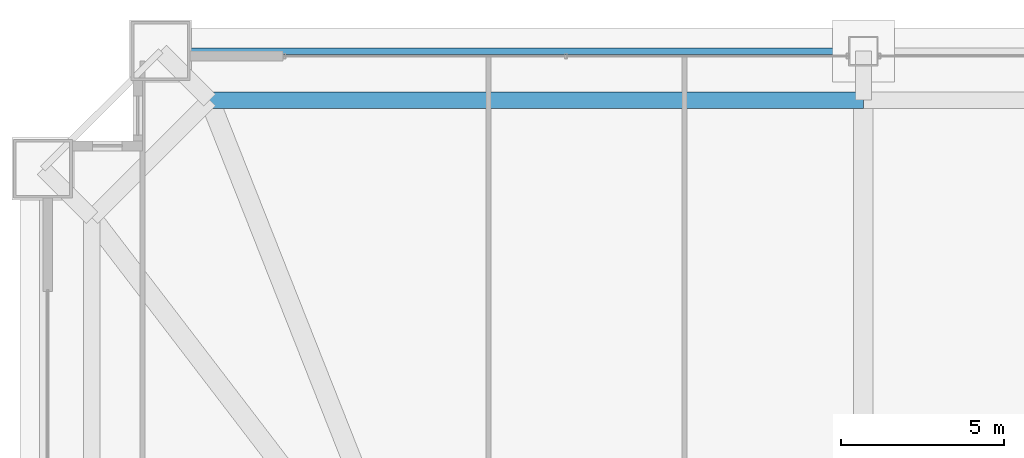
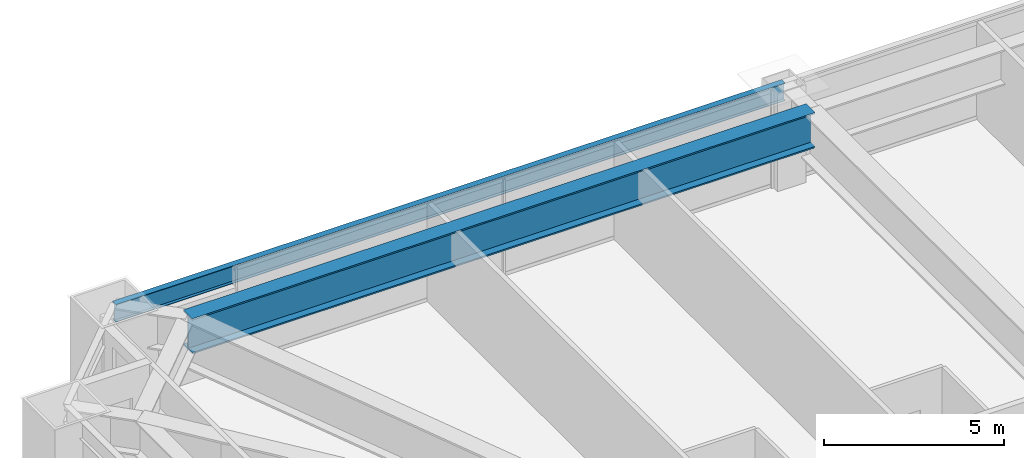
# One storey, part 27 of 44: 2 beams.
"""IFC4 building model written with IfcOpenShell, lengths in metres."""

from ifc_helpers import new_model, si_unit, direction, frame, origin, origin_2d, place, context, subcontext, project, spatial, i_section, extrude, source, transform, mapped, material, material_profile, profile_set, type_object, element, save


model = new_model("IFC4")

# Units and contexts
model_context = context("Model", 3, precision=1e-05, world=origin(), true_north=direction((0.0, 1.0)))
body_context = subcontext(model_context, "Body", "Model", "MODEL_VIEW")
ifc_project = project(units=[si_unit("LENGTHUNIT", "METRE"), si_unit("AREAUNIT", "SQUARE_METRE"), si_unit("VOLUMEUNIT", "CUBIC_METRE"), si_unit("PLANEANGLEUNIT", "RADIAN"), si_unit("MASSUNIT", "GRAM", prefix="KILO"), si_unit("THERMODYNAMICTEMPERATUREUNIT", "KELVIN"), si_unit("POWERUNIT", "WATT")], contexts=[model_context])

# Site, building, storey
site_placement = place(None, origin())
site = spatial("IfcSite", under=ifc_project, at=site_placement, CompositionType="ELEMENT")
building_placement = place(site_placement, origin())
building = spatial("IfcBuilding", under=site, at=building_placement, Name="Yuzanri Waterfront Tower", CompositionType="ELEMENT")
storey_placement = place(building_placement, frame((0.0, 0.0, 82.0)))
storey = spatial("IfcBuildingStorey", under=building, at=storey_placement, Name="L21", CompositionType="ELEMENT", Elevation=82.0)

# Beams
ifc_material_1 = material(Name="Steel Q355B", Category="steel")
ifc_material_profile_1 = material_profile(ifc_material_1, i_section(OverallWidth=0.199951171875, OverallDepth=0.60009765625, WebThickness=0.010986328125, FlangeThickness=0.01708984375, at=origin_2d()), Name="HN 600x200x11x17")
ifc_profile_set_1 = profile_set([ifc_material_profile_1], Name="Steel Q355B")
beam_type_1 = type_object("IfcBeamType", Name="Perimeter Spandrel Q355B HN 600x200", PredefinedType="SPANDREL", material=ifc_profile_set_1)
shared_shape_1 = source(origin(), body_context, "Body", "SweptSolid", [
    extrude(i_section(OverallWidth=0.199951171875, OverallDepth=0.60009765625, WebThickness=0.010986328125, FlangeThickness=0.01708984375, at=origin_2d()), origin(), (0.0, 0.0, 1.0), 21.5),
])
beam_1_placement = place(storey_placement, frame((37.0, 50.89990234375, 3.02001953125), z_axis=(-1.0, 0.0, 0.0), x_axis=(0.0, -1.0, 0.0)))
element("IfcBeam", 1, at=beam_1_placement, inside=storey, type_object=beam_type_1, Name="L21 Perimeter Spandrel N2-N1", PredefinedType="SPANDREL", context=body_context, shape_type="MappedRepresentation", body=[
    mapped(shared_shape_1, transform((0.0, 0.0, 0.0), scale=1.0)),
])
ifc_material_2 = material(Name="Steel Q420GJC", Category="steel")
ifc_material_profile_2 = material_profile(ifc_material_2, i_section(OverallWidth=0.5, OverallDepth=1.199951171875, WebThickness=0.028076171875, FlangeThickness=0.050048828125, at=origin_2d()), Name="PG 1200x500x28x50")
ifc_profile_set_2 = profile_set([ifc_material_profile_2], Name="Steel Q420GJC")
beam_type_2 = type_object("IfcBeamType", Name="Setback Transfer Girder Q420GJC PG 1200x500", PredefinedType="USERDEFINED", material=ifc_profile_set_2)
shared_shape_2 = source(origin(), body_context, "Body", "SweptSolid", [
    extrude(i_section(OverallWidth=0.5, OverallDepth=1.199951171875, WebThickness=0.028076171875, FlangeThickness=0.050048828125, at=origin_2d()), origin(), (0.0, 0.0, 1.0), 20.0),
])
beam_2_placement = place(storey_placement, frame((37.0, 49.39990234375, 2.719970703125), z_axis=(-1.0, 0.0, 0.0), x_axis=(0.0, -1.0, 0.0)))
element("IfcBeam", 2, at=beam_2_placement, inside=storey, type_object=beam_type_2, Name="L21 Setback Upper Ring N2-N1", ObjectType="GIRDER", PredefinedType="USERDEFINED", context=body_context, shape_type="MappedRepresentation", body=[
    mapped(shared_shape_2, transform((0.0, 0.0, 0.0), scale=1.0)),
])

save(model, "model.ifc")
